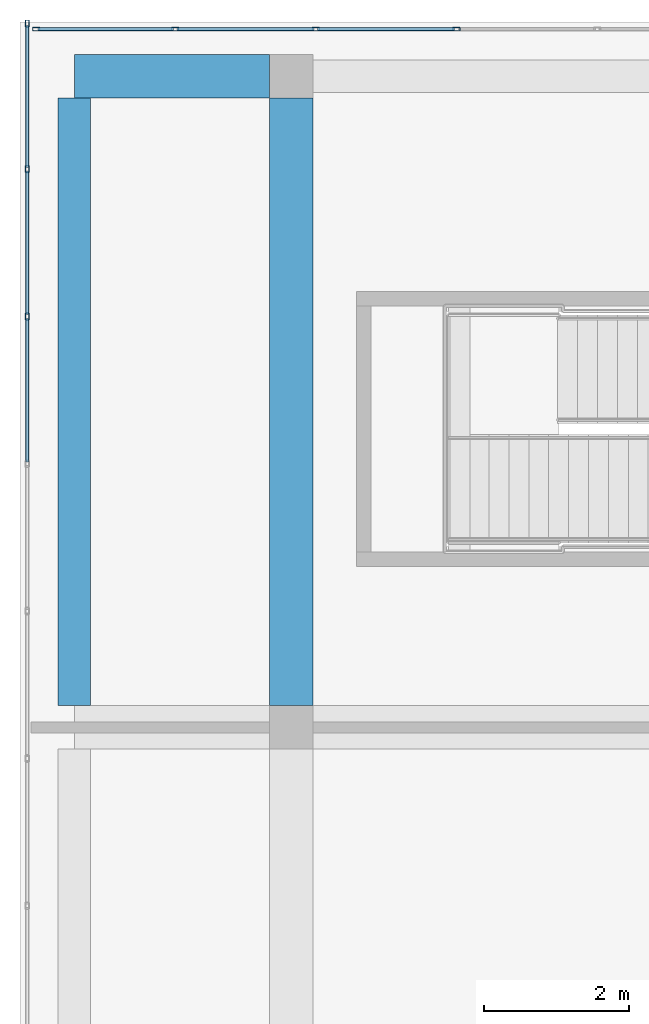
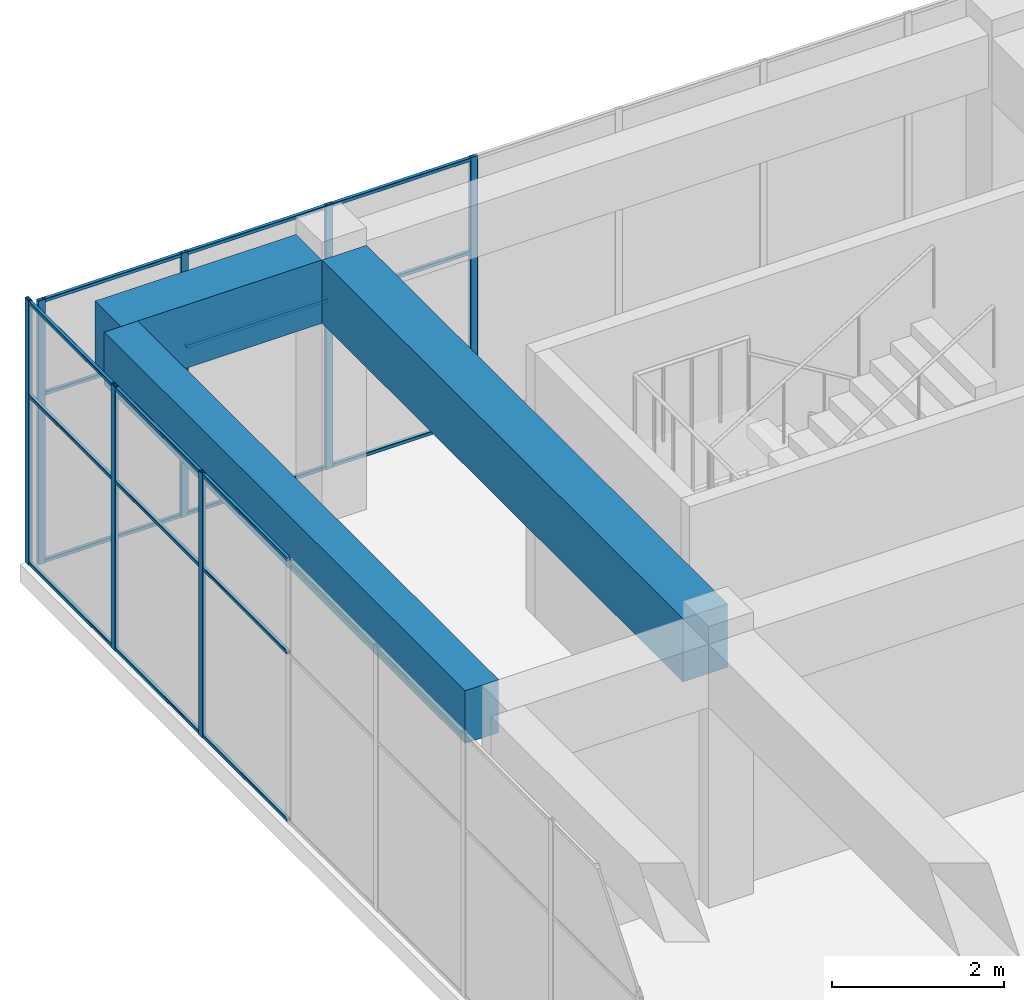
# One storey, part 21 of 35: 25 members, 3 beams, 2 elements without a shape of their own.
"""IFC4 building model written with IfcOpenShell, lengths in metres."""

from ifc_helpers import new_model, si_unit, direction, frame, origin, origin_2d, place, context, subcontext, project, spatial, rectangle, hollow_rectangle, extrude, material, layer, layer_set, material_profile, profile_set, type_object, element, aggregate, save


model = new_model("IFC4")

# Units and contexts
model_context = context("Model", 3, precision=1e-05, world=origin(), true_north=direction((0.0, 1.0)))
body_context = subcontext(model_context, "Body", "Model", "MODEL_VIEW")
ifc_project = project(units=[si_unit("LENGTHUNIT", "METRE"), si_unit("AREAUNIT", "SQUARE_METRE"), si_unit("VOLUMEUNIT", "CUBIC_METRE"), si_unit("PLANEANGLEUNIT", "RADIAN"), si_unit("MASSUNIT", "GRAM", prefix="KILO")], contexts=[model_context])

# Site, building, storey
site_placement = place(None, origin())
site = spatial("IfcSite", under=ifc_project, at=site_placement, CompositionType="ELEMENT")
building_placement = place(site_placement, origin())
building = spatial("IfcBuilding", under=site, at=building_placement, Name="Tuart Plaza Theatre", CompositionType="ELEMENT")
storey_placement = place(building_placement, frame((0.0, 0.0, 45.5)))
storey = spatial("IfcBuildingStorey", under=building, at=storey_placement, Name="L11", CompositionType="ELEMENT", Elevation=45.5)

# Beams
ifc_material_1 = material(Name="Concrete N40 (40 MPa)", Category="concrete")
ifc_material_profile_1 = material_profile(ifc_material_1, rectangle(XDim=0.449951171875, YDim=0.75, at=origin_2d()), Name="BEAM 450x750 Concrete N40 (40 MPa)")
ifc_profile_set_1 = profile_set([ifc_material_profile_1], Name="Concrete N40 (40 MPa)")
beam_type_1 = type_object("IfcBeamType", Name="BEAM 450x750 Concrete N40 (40 MPa)", PredefinedType="BEAM", material=ifc_profile_set_1)
beam_1_placement = place(storey_placement, frame((111.0, 83.300048828125, 3.375), z_axis=(0.0, 1.0, 0.0), x_axis=(-1.0, 0.0, 0.0)))
element("IfcBeam", 1, at=beam_1_placement, inside=storey, type_object=beam_type_1, Name="RB286", PredefinedType="BEAM", context=body_context, shape_type="SweptSolid", body=[
    extrude(rectangle(XDim=0.449951171875, YDim=0.75, at=origin_2d()), origin(), (0.0, 0.0, 1.0), 8.39990234375),
])
ifc_material_2 = material(Name="Concrete N40 (40 MPa)", Category="concrete")
ifc_material_profile_2 = material_profile(ifc_material_2, rectangle(XDim=0.60009765625, YDim=0.89990234375, at=origin_2d()), Name="BEAM 600x900 Concrete N40 (40 MPa)")
ifc_profile_set_2 = profile_set([ifc_material_profile_2], Name="Concrete N40 (40 MPa)")
beam_type_2 = type_object("IfcBeamType", Name="BEAM 600x900 Concrete N40 (40 MPa)", PredefinedType="BEAM", material=ifc_profile_set_2)
beam_2_placement = place(storey_placement, frame((111.0, 92.0, 3.300048828125), z_axis=(1.0, 0.0, 0.0), x_axis=(0.0, 1.0, 0.0)))
element("IfcBeam", 2, at=beam_2_placement, inside=storey, type_object=beam_type_2, Name="RB288", PredefinedType="BEAM", context=body_context, shape_type="SweptSolid", body=[
    extrude(rectangle(XDim=0.60009765625, YDim=0.89990234375, at=origin_2d()), origin(), (0.0, 0.0, 1.0), 2.699951171875),
])
beam_3_placement = place(storey_placement, frame((114.0, 83.300048828125, 3.300048828125), z_axis=(0.0, 1.0, 0.0), x_axis=(-1.0, 0.0, 0.0)))
element("IfcBeam", 3, at=beam_3_placement, inside=storey, type_object=beam_type_2, Name="RB293", PredefinedType="BEAM", context=body_context, shape_type="SweptSolid", body=[
    extrude(rectangle(XDim=0.60009765625, YDim=0.89990234375, at=origin_2d()), origin(), (0.0, 0.0, 1.0), 8.39990234375),
])

# Curtain wall, members
ifc_material_3 = material(Name="Aluminium and glass", Category="aluminium")
ifc_layer = layer(ifc_material_3, 0.10009765625)
ifc_layer_set = layer_set([ifc_layer], Name="CURTAIN WALL 2000 module")
curtain_wall_type = type_object("IfcCurtainWallType", Name="CURTAIN WALL 2000 module", PredefinedType="NOTDEFINED", material=ifc_layer_set)
curtain_wall_1_placement = place(storey_placement, origin())
curtain_wall_1 = element("IfcCurtainWall", 4, at=curtain_wall_1_placement, inside=storey, type_object=curtain_wall_type, Name="CW105", PredefinedType="NOTDEFINED")
ifc_material_4 = material(Name="Aluminium 6063-T5", Category="aluminium")
ifc_material_profile_3 = material_profile(ifc_material_4, hollow_rectangle(XDim=0.050048828125, YDim=0.10009765625, WallThickness=0.00390625, InnerFilletRadius=0.00390625, OuterFilletRadius=0.008056640625, at=origin_2d()), Name="RHS 100x50x4")
ifc_profile_set_3 = profile_set([ifc_material_profile_3], Name="Aluminium 6063-T5")
member_type_1 = type_object("IfcMemberType", Name="MULLION RHS 100x50x4", PredefinedType="MULLION", material=ifc_profile_set_3)
member_1_placement = place(storey_placement, frame((116.28125, 92.64990234375, 0.0), z_axis=(0.0, 0.0, 1.0), x_axis=(0.0, -1.0, 0.0)))
member_1 = element("IfcMember", 5, at=member_1_placement, type_object=member_type_1, Name="CW105 mullion 14", PredefinedType="MULLION", context=body_context, shape_type="SweptSolid", body=[
    extrude(hollow_rectangle(XDim=0.050048828125, YDim=0.10009765625, WallThickness=0.00390625, InnerFilletRadius=0.00390625, OuterFilletRadius=0.008056640625, at=origin_2d()), origin(), (0.0, 0.0, 1.0), 3.75),
])
member_2_placement = place(storey_placement, frame((114.33740234375, 92.64990234375, 0.0), z_axis=(0.0, 0.0, 1.0), x_axis=(0.0, -1.0, 0.0)))
member_2 = element("IfcMember", 6, at=member_2_placement, type_object=member_type_1, Name="CW105 mullion 15", PredefinedType="MULLION", context=body_context, shape_type="SweptSolid", body=[
    extrude(hollow_rectangle(XDim=0.050048828125, YDim=0.10009765625, WallThickness=0.00390625, InnerFilletRadius=0.00390625, OuterFilletRadius=0.008056640625, at=origin_2d()), origin(), (0.0, 0.0, 1.0), 3.75),
])
member_3_placement = place(storey_placement, frame((112.393798828125, 92.64990234375, 0.0), z_axis=(0.0, 0.0, 1.0), x_axis=(0.0, -1.0, 0.0)))
member_3 = element("IfcMember", 7, at=member_3_placement, type_object=member_type_1, Name="CW105 mullion 16", PredefinedType="MULLION", context=body_context, shape_type="SweptSolid", body=[
    extrude(hollow_rectangle(XDim=0.050048828125, YDim=0.10009765625, WallThickness=0.00390625, InnerFilletRadius=0.00390625, OuterFilletRadius=0.008056640625, at=origin_2d()), origin(), (0.0, 0.0, 1.0), 3.75),
])
member_4_placement = place(storey_placement, frame((110.47509765625, 92.64990234375, 0.0), z_axis=(0.0, 0.0, 1.0), x_axis=(0.0, -1.0, 0.0)))
member_4 = element("IfcMember", 8, at=member_4_placement, type_object=member_type_1, Name="CW105 mullion 17", PredefinedType="MULLION", context=body_context, shape_type="SweptSolid", body=[
    extrude(hollow_rectangle(XDim=0.050048828125, YDim=0.10009765625, WallThickness=0.00390625, InnerFilletRadius=0.00390625, OuterFilletRadius=0.008056640625, at=origin_2d()), origin(), (0.0, 0.0, 1.0), 3.75),
])

curtain_wall_2_placement = place(storey_placement, origin())
curtain_wall_2 = element("IfcCurtainWall", 9, at=curtain_wall_2_placement, inside=storey, type_object=curtain_wall_type, Name="CW106", PredefinedType="NOTDEFINED")
member_5_placement = place(storey_placement, frame((110.35009765625, 92.72509765625, 0.0), z_axis=(0.0, 0.0, 1.0), x_axis=(1.0, 0.0, 0.0)))
member_5 = element("IfcMember", 10, at=member_5_placement, type_object=member_type_1, Name="CW106 mullion 1", PredefinedType="MULLION", context=body_context, shape_type="SweptSolid", body=[
    extrude(hollow_rectangle(XDim=0.050048828125, YDim=0.10009765625, WallThickness=0.00390625, InnerFilletRadius=0.00390625, OuterFilletRadius=0.008056640625, at=origin_2d()), origin(), (0.0, 0.0, 1.0), 3.75),
])
member_6_placement = place(storey_placement, frame((110.35009765625, 90.71435546875, 0.0), z_axis=(0.0, 0.0, 1.0), x_axis=(1.0, 0.0, 0.0)))
member_6 = element("IfcMember", 11, at=member_6_placement, type_object=member_type_1, Name="CW106 mullion 2", PredefinedType="MULLION", context=body_context, shape_type="SweptSolid", body=[
    extrude(hollow_rectangle(XDim=0.050048828125, YDim=0.10009765625, WallThickness=0.00390625, InnerFilletRadius=0.00390625, OuterFilletRadius=0.008056640625, at=origin_2d()), origin(), (0.0, 0.0, 1.0), 3.75),
])
member_7_placement = place(storey_placement, frame((110.35009765625, 88.678466796875, 0.0), z_axis=(0.0, 0.0, 1.0), x_axis=(1.0, 0.0, 0.0)))
member_7 = element("IfcMember", 12, at=member_7_placement, type_object=member_type_1, Name="CW106 mullion 3", PredefinedType="MULLION", context=body_context, shape_type="SweptSolid", body=[
    extrude(hollow_rectangle(XDim=0.050048828125, YDim=0.10009765625, WallThickness=0.00390625, InnerFilletRadius=0.00390625, OuterFilletRadius=0.008056640625, at=origin_2d()), origin(), (0.0, 0.0, 1.0), 3.75),
])

# Member
ifc_material_5 = material(Name="Aluminium 6063-T5", Category="aluminium")
ifc_material_profile_4 = material_profile(ifc_material_5, hollow_rectangle(XDim=0.050048828125, YDim=0.050048828125, WallThickness=0.00390625, InnerFilletRadius=0.00390625, OuterFilletRadius=0.008056640625, at=origin_2d()), Name="RHS 50x50x4")
ifc_profile_set_4 = profile_set([ifc_material_profile_4], Name="Aluminium 6063-T5")
member_type_2 = type_object("IfcMemberType", Name="TRANSOM RHS 50x50x4", PredefinedType="USERDEFINED", material=ifc_profile_set_4)
member_8_placement = place(storey_placement, frame((116.25634765625, 92.64990234375, 0.02490234375), z_axis=(-1.0, 0.0, 0.0), x_axis=(0.0, -1.0, 0.0)))
member_8 = element("IfcMember", 13, at=member_8_placement, type_object=member_type_2, Name="CW105 transom 14.1", ObjectType="TRANSOM", PredefinedType="USERDEFINED", context=body_context, shape_type="SweptSolid", body=[
    extrude(hollow_rectangle(XDim=0.050048828125, YDim=0.050048828125, WallThickness=0.00390625, InnerFilletRadius=0.00390625, OuterFilletRadius=0.008056640625, at=origin_2d()), origin(), (0.0, 0.0, 1.0), 1.893798828125),
])

member_9_placement = place(storey_placement, frame((116.25634765625, 92.64990234375, 2.39990234375), z_axis=(-1.0, 0.0, 0.0), x_axis=(0.0, -1.0, 0.0)))
member_9 = element("IfcMember", 14, at=member_9_placement, type_object=member_type_2, Name="CW105 transom 14.2", ObjectType="TRANSOM", PredefinedType="USERDEFINED", context=body_context, shape_type="SweptSolid", body=[
    extrude(hollow_rectangle(XDim=0.050048828125, YDim=0.050048828125, WallThickness=0.00390625, InnerFilletRadius=0.00390625, OuterFilletRadius=0.008056640625, at=origin_2d()), origin(), (0.0, 0.0, 1.0), 1.893798828125),
])

member_10_placement = place(storey_placement, frame((116.25634765625, 92.64990234375, 3.72509765625), z_axis=(-1.0, 0.0, 0.0), x_axis=(0.0, -1.0, 0.0)))
member_10 = element("IfcMember", 15, at=member_10_placement, type_object=member_type_2, Name="CW105 transom 14.3", ObjectType="TRANSOM", PredefinedType="USERDEFINED", context=body_context, shape_type="SweptSolid", body=[
    extrude(hollow_rectangle(XDim=0.050048828125, YDim=0.050048828125, WallThickness=0.00390625, InnerFilletRadius=0.00390625, OuterFilletRadius=0.008056640625, at=origin_2d()), origin(), (0.0, 0.0, 1.0), 1.893798828125),
])

member_11_placement = place(storey_placement, frame((114.3125, 92.64990234375, 0.02490234375), z_axis=(-1.0, 0.0, 0.0), x_axis=(0.0, -1.0, 0.0)))
member_11 = element("IfcMember", 16, at=member_11_placement, type_object=member_type_2, Name="CW105 transom 15.1", ObjectType="TRANSOM", PredefinedType="USERDEFINED", context=body_context, shape_type="SweptSolid", body=[
    extrude(hollow_rectangle(XDim=0.050048828125, YDim=0.050048828125, WallThickness=0.00390625, InnerFilletRadius=0.00390625, OuterFilletRadius=0.008056640625, at=origin_2d()), origin(), (0.0, 0.0, 1.0), 1.893798828125),
])

member_12_placement = place(storey_placement, frame((114.3125, 92.64990234375, 2.39990234375), z_axis=(-1.0, 0.0, 0.0), x_axis=(0.0, -1.0, 0.0)))
member_12 = element("IfcMember", 17, at=member_12_placement, type_object=member_type_2, Name="CW105 transom 15.2", ObjectType="TRANSOM", PredefinedType="USERDEFINED", context=body_context, shape_type="SweptSolid", body=[
    extrude(hollow_rectangle(XDim=0.050048828125, YDim=0.050048828125, WallThickness=0.00390625, InnerFilletRadius=0.00390625, OuterFilletRadius=0.008056640625, at=origin_2d()), origin(), (0.0, 0.0, 1.0), 1.893798828125),
])

member_13_placement = place(storey_placement, frame((114.3125, 92.64990234375, 3.72509765625), z_axis=(-1.0, 0.0, 0.0), x_axis=(0.0, -1.0, 0.0)))
member_13 = element("IfcMember", 18, at=member_13_placement, type_object=member_type_2, Name="CW105 transom 15.3", ObjectType="TRANSOM", PredefinedType="USERDEFINED", context=body_context, shape_type="SweptSolid", body=[
    extrude(hollow_rectangle(XDim=0.050048828125, YDim=0.050048828125, WallThickness=0.00390625, InnerFilletRadius=0.00390625, OuterFilletRadius=0.008056640625, at=origin_2d()), origin(), (0.0, 0.0, 1.0), 1.893798828125),
])

member_14_placement = place(storey_placement, frame((112.36865234375, 92.64990234375, 0.02490234375), z_axis=(-1.0, 0.0, 0.0), x_axis=(0.0, -1.0, 0.0)))
member_14 = element("IfcMember", 19, at=member_14_placement, type_object=member_type_2, Name="CW105 transom 16.1", ObjectType="TRANSOM", PredefinedType="USERDEFINED", context=body_context, shape_type="SweptSolid", body=[
    extrude(hollow_rectangle(XDim=0.050048828125, YDim=0.050048828125, WallThickness=0.00390625, InnerFilletRadius=0.00390625, OuterFilletRadius=0.008056640625, at=origin_2d()), origin(), (0.0, 0.0, 1.0), 1.86865234375),
])

member_15_placement = place(storey_placement, frame((112.36865234375, 92.64990234375, 2.39990234375), z_axis=(-1.0, 0.0, 0.0), x_axis=(0.0, -1.0, 0.0)))
member_15 = element("IfcMember", 20, at=member_15_placement, type_object=member_type_2, Name="CW105 transom 16.2", ObjectType="TRANSOM", PredefinedType="USERDEFINED", context=body_context, shape_type="SweptSolid", body=[
    extrude(hollow_rectangle(XDim=0.050048828125, YDim=0.050048828125, WallThickness=0.00390625, InnerFilletRadius=0.00390625, OuterFilletRadius=0.008056640625, at=origin_2d()), origin(), (0.0, 0.0, 1.0), 1.86865234375),
])

member_16_placement = place(storey_placement, frame((112.36865234375, 92.64990234375, 3.72509765625), z_axis=(-1.0, 0.0, 0.0), x_axis=(0.0, -1.0, 0.0)))
member_16 = element("IfcMember", 21, at=member_16_placement, type_object=member_type_2, Name="CW105 transom 16.3", ObjectType="TRANSOM", PredefinedType="USERDEFINED", context=body_context, shape_type="SweptSolid", body=[
    extrude(hollow_rectangle(XDim=0.050048828125, YDim=0.050048828125, WallThickness=0.00390625, InnerFilletRadius=0.00390625, OuterFilletRadius=0.008056640625, at=origin_2d()), origin(), (0.0, 0.0, 1.0), 1.86865234375),
])

aggregate(curtain_wall_1, [member_1, member_2, member_3, member_4, member_8, member_9, member_10, member_11, member_12, member_13, member_14, member_15, member_16])

member_17_placement = place(storey_placement, frame((110.35009765625, 92.699951171875, 0.02490234375), z_axis=(0.0, -1.0, 0.0), x_axis=(1.0, 0.0, 0.0)))
member_17 = element("IfcMember", 22, at=member_17_placement, type_object=member_type_2, Name="CW106 transom 1.1", ObjectType="TRANSOM", PredefinedType="USERDEFINED", context=body_context, shape_type="SweptSolid", body=[
    extrude(hollow_rectangle(XDim=0.050048828125, YDim=0.050048828125, WallThickness=0.00390625, InnerFilletRadius=0.00390625, OuterFilletRadius=0.008056640625, at=origin_2d()), origin(), (0.0, 0.0, 1.0), 1.960693359375),
])

member_18_placement = place(storey_placement, frame((110.35009765625, 92.699951171875, 2.39990234375), z_axis=(0.0, -1.0, 0.0), x_axis=(1.0, 0.0, 0.0)))
member_18 = element("IfcMember", 23, at=member_18_placement, type_object=member_type_2, Name="CW106 transom 1.2", ObjectType="TRANSOM", PredefinedType="USERDEFINED", context=body_context, shape_type="SweptSolid", body=[
    extrude(hollow_rectangle(XDim=0.050048828125, YDim=0.050048828125, WallThickness=0.00390625, InnerFilletRadius=0.00390625, OuterFilletRadius=0.008056640625, at=origin_2d()), origin(), (0.0, 0.0, 1.0), 1.960693359375),
])

member_19_placement = place(storey_placement, frame((110.35009765625, 92.699951171875, 3.72509765625), z_axis=(0.0, -1.0, 0.0), x_axis=(1.0, 0.0, 0.0)))
member_19 = element("IfcMember", 24, at=member_19_placement, type_object=member_type_2, Name="CW106 transom 1.3", ObjectType="TRANSOM", PredefinedType="USERDEFINED", context=body_context, shape_type="SweptSolid", body=[
    extrude(hollow_rectangle(XDim=0.050048828125, YDim=0.050048828125, WallThickness=0.00390625, InnerFilletRadius=0.00390625, OuterFilletRadius=0.008056640625, at=origin_2d()), origin(), (0.0, 0.0, 1.0), 1.960693359375),
])

member_20_placement = place(storey_placement, frame((110.35009765625, 90.689208984375, 0.02490234375), z_axis=(0.0, -1.0, 0.0), x_axis=(1.0, 0.0, 0.0)))
member_20 = element("IfcMember", 25, at=member_20_placement, type_object=member_type_2, Name="CW106 transom 2.1", ObjectType="TRANSOM", PredefinedType="USERDEFINED", context=body_context, shape_type="SweptSolid", body=[
    extrude(hollow_rectangle(XDim=0.050048828125, YDim=0.050048828125, WallThickness=0.00390625, InnerFilletRadius=0.00390625, OuterFilletRadius=0.008056640625, at=origin_2d()), origin(), (0.0, 0.0, 1.0), 1.985595703125),
])

member_21_placement = place(storey_placement, frame((110.35009765625, 90.689208984375, 2.39990234375), z_axis=(0.0, -1.0, 0.0), x_axis=(1.0, 0.0, 0.0)))
member_21 = element("IfcMember", 26, at=member_21_placement, type_object=member_type_2, Name="CW106 transom 2.2", ObjectType="TRANSOM", PredefinedType="USERDEFINED", context=body_context, shape_type="SweptSolid", body=[
    extrude(hollow_rectangle(XDim=0.050048828125, YDim=0.050048828125, WallThickness=0.00390625, InnerFilletRadius=0.00390625, OuterFilletRadius=0.008056640625, at=origin_2d()), origin(), (0.0, 0.0, 1.0), 1.985595703125),
])

member_22_placement = place(storey_placement, frame((110.35009765625, 90.689208984375, 3.72509765625), z_axis=(0.0, -1.0, 0.0), x_axis=(1.0, 0.0, 0.0)))
member_22 = element("IfcMember", 27, at=member_22_placement, type_object=member_type_2, Name="CW106 transom 2.3", ObjectType="TRANSOM", PredefinedType="USERDEFINED", context=body_context, shape_type="SweptSolid", body=[
    extrude(hollow_rectangle(XDim=0.050048828125, YDim=0.050048828125, WallThickness=0.00390625, InnerFilletRadius=0.00390625, OuterFilletRadius=0.008056640625, at=origin_2d()), origin(), (0.0, 0.0, 1.0), 1.985595703125),
])

member_23_placement = place(storey_placement, frame((110.35009765625, 88.653564453125, 0.02490234375), z_axis=(0.0, -1.0, 0.0), x_axis=(1.0, 0.0, 0.0)))
member_23 = element("IfcMember", 28, at=member_23_placement, type_object=member_type_2, Name="CW106 transom 3.1", ObjectType="TRANSOM", PredefinedType="USERDEFINED", context=body_context, shape_type="SweptSolid", body=[
    extrude(hollow_rectangle(XDim=0.050048828125, YDim=0.050048828125, WallThickness=0.00390625, InnerFilletRadius=0.00390625, OuterFilletRadius=0.008056640625, at=origin_2d()), origin(), (0.0, 0.0, 1.0), 1.985595703125),
])

member_24_placement = place(storey_placement, frame((110.35009765625, 88.653564453125, 2.39990234375), z_axis=(0.0, -1.0, 0.0), x_axis=(1.0, 0.0, 0.0)))
member_24 = element("IfcMember", 29, at=member_24_placement, type_object=member_type_2, Name="CW106 transom 3.2", ObjectType="TRANSOM", PredefinedType="USERDEFINED", context=body_context, shape_type="SweptSolid", body=[
    extrude(hollow_rectangle(XDim=0.050048828125, YDim=0.050048828125, WallThickness=0.00390625, InnerFilletRadius=0.00390625, OuterFilletRadius=0.008056640625, at=origin_2d()), origin(), (0.0, 0.0, 1.0), 1.985595703125),
])

member_25_placement = place(storey_placement, frame((110.35009765625, 88.653564453125, 3.72509765625), z_axis=(0.0, -1.0, 0.0), x_axis=(1.0, 0.0, 0.0)))
member_25 = element("IfcMember", 30, at=member_25_placement, type_object=member_type_2, Name="CW106 transom 3.3", ObjectType="TRANSOM", PredefinedType="USERDEFINED", context=body_context, shape_type="SweptSolid", body=[
    extrude(hollow_rectangle(XDim=0.050048828125, YDim=0.050048828125, WallThickness=0.00390625, InnerFilletRadius=0.00390625, OuterFilletRadius=0.008056640625, at=origin_2d()), origin(), (0.0, 0.0, 1.0), 1.985595703125),
])

aggregate(curtain_wall_2, [member_5, member_6, member_7, member_17, member_18, member_19, member_20, member_21, member_22, member_23, member_24, member_25])

save(model, "model.ifc")
